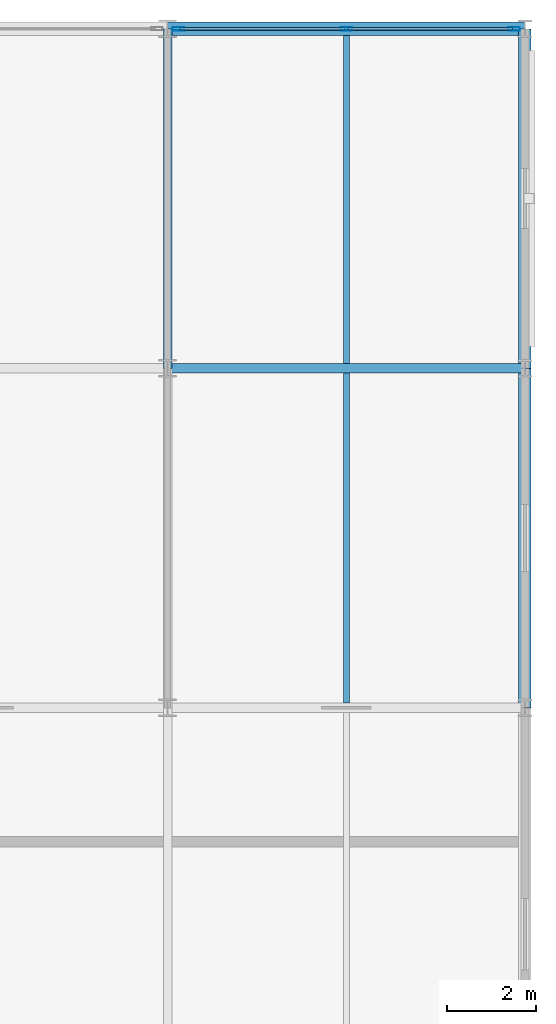
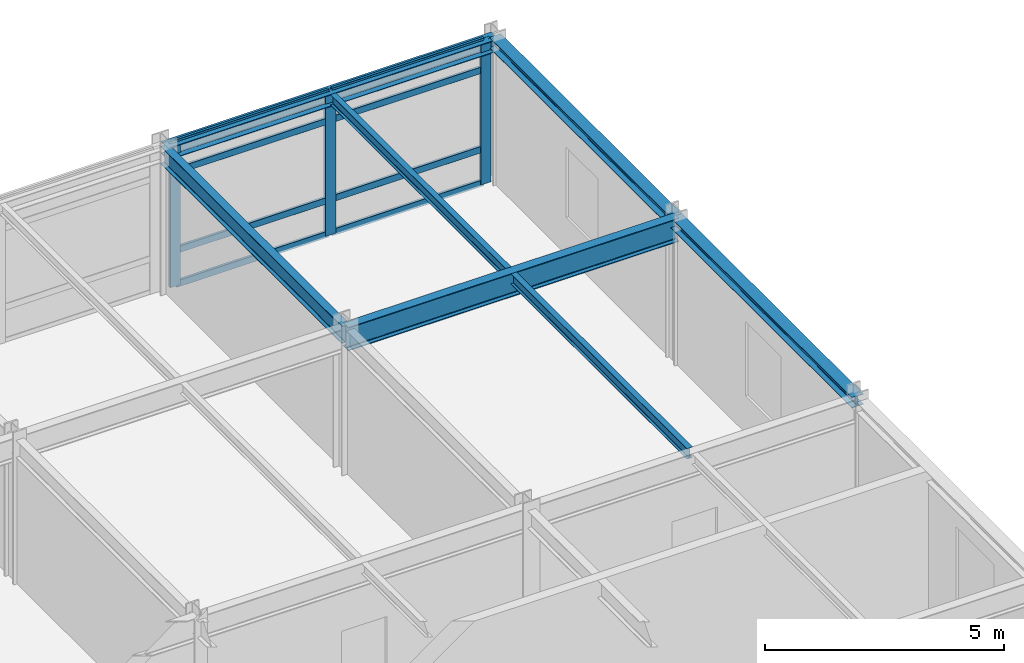
# One storey, part 9 of 14: 11 members, 7 beams, 1 element without a shape of its own.
"""IFC4 building model written with IfcOpenShell, lengths in metres."""

import ifcopenshell
import ifcopenshell.guid

model = None  # the IFC model being written
_history = None  # IfcOwnerHistory: only IFC2X3 demands one
_inside = {}  # id of a spatial element -> (the spatial element, [elements in it])
_under = {}  # id of a project, library or spatial element -> (it, [spatial elements below it])
_declared = {}  # id of a project -> (the project, [libraries it declares])
_typed = {}  # id of a type object -> (the type object, [elements of that type])
_made_of = {}  # id of a material, layer set ... -> (it, [elements and type objects made of it])


def new_model(schema):
    """Start an empty IFC model of exactly this schema.

    Asked for "IFC4X3", IfcOpenShell would pick the latest addendum, in which some entities
    have other attributes; the version numbers below select the first issue.
    IFC2X3 requires an IfcOwnerHistory on every rooted entity: one is made here for all.
    """
    global model, _history
    if schema == "IFC4X3":
        model = ifcopenshell.file(schema_version=(4, 3, 0, 0))
    else:
        model = ifcopenshell.file(schema=schema)
    _inside.clear()
    _under.clear()
    _declared.clear()
    _typed.clear()
    _made_of.clear()
    _history = None
    if model.schema == "IFC2X3":
        org = make("IfcOrganization", Name="unknown")
        user = make(
            "IfcPersonAndOrganization",
            ThePerson=make("IfcPerson", FamilyName="unknown"),
            TheOrganization=org,
        )
        app = make(
            "IfcApplication",
            ApplicationDeveloper=org,
            Version="unknown",
            ApplicationFullName="unknown",
            ApplicationIdentifier="unknown",
        )
        _history = make(
            "IfcOwnerHistory",
            OwningUser=user,
            OwningApplication=app,
            ChangeAction="ADDED",
            CreationDate=0,
        )
    return model


def make(cls, **values):
    """One entity of the class cls with the attributes given. An attribute that is None is left unset."""
    return model.create_entity(
        cls, **{name: value for name, value in values.items() if value is not None}
    )


def rooted(cls, **values):
    """An entity with a GlobalId (a new one), such as an element, a storey or a relation."""
    return make(cls, GlobalId=ifcopenshell.guid.new(), OwnerHistory=_history, **values)


def si_unit(unit_type, name, prefix=None):
    """IfcSIUnit, for example si_unit("LENGTHUNIT", "METRE", prefix="MILLI")."""
    return make("IfcSIUnit", UnitType=unit_type, Prefix=prefix, Name=name)


def assignment(units):
    """IfcUnitAssignment: the units of a project."""
    return None if units is None else make("IfcUnitAssignment", Units=units)


def point(xyz):
    """IfcCartesianPoint."""
    return None if xyz is None else make("IfcCartesianPoint", Coordinates=xyz)


def direction(xyz):
    """IfcDirection."""
    return None if xyz is None else make("IfcDirection", DirectionRatios=xyz)


def frame(location, z_axis=None, x_axis=None):
    """IfcAxis2Placement3D, a coordinate frame: its origin and axes. An axis left out is left unset."""
    return make(
        "IfcAxis2Placement3D",
        Location=point(location),
        Axis=direction(z_axis),
        RefDirection=direction(x_axis),
    )


def frame_2d(location, x_axis=None):
    """IfcAxis2Placement2D, a coordinate frame in the plane: its origin and x axis."""
    return make(
        "IfcAxis2Placement2D", Location=point(location), RefDirection=direction(x_axis)
    )


def origin():
    """The frame at (0, 0, 0) with its axes left unset."""
    return frame((0.0, 0.0, 0.0))


def origin_2d():
    """The frame at (0, 0) in the plane with its x axis left unset."""
    return frame_2d((0.0, 0.0))


def place(relative_to, where):
    """IfcLocalPlacement: puts the frame where relative to a parent placement (None: the world)."""
    return make(
        "IfcLocalPlacement", PlacementRelTo=relative_to, RelativePlacement=where
    )


def context(
    kind, dimensions, precision=None, world=None, true_north=None, identifier=None
):
    """IfcGeometricRepresentationContext, for example the 3D "Model" context."""
    return make(
        "IfcGeometricRepresentationContext",
        ContextIdentifier=identifier,
        ContextType=kind,
        CoordinateSpaceDimension=dimensions,
        Precision=precision,
        WorldCoordinateSystem=world,
        TrueNorth=true_north,
    )


def subcontext(parent, identifier, kind, view, scale=None):
    """IfcGeometricRepresentationSubContext, for example "Body" below "Model"."""
    return make(
        "IfcGeometricRepresentationSubContext",
        ContextIdentifier=identifier,
        ContextType=kind,
        ParentContext=parent,
        TargetScale=scale,
        TargetView=view,
    )


def project(units=None, contexts=None):
    """IfcProject with its units and contexts."""
    return rooted(
        "IfcProject",
        Name="project",
        RepresentationContexts=contexts,
        UnitsInContext=assignment(units),
    )


def spatial(cls, under=None, at=None, **own):
    """A site, building, storey or space (cls), placed at a placement, below another one or the project."""
    s = rooted(cls, ObjectPlacement=at, **own)
    if under is not None:
        _under.setdefault(under.id(), (under, []))[1].append(s)
    return s


def profile(cls, at=None, kind="AREA", **sizes):
    """A parametric profile (cls). Its sizes go by their IFC names, for example OverallWidth=200.0."""
    return make(cls, ProfileType=kind, Position=at, **sizes)


def hollow_rectangle(**sizes):
    """IfcRectangleHollowProfileDef."""
    return profile("IfcRectangleHollowProfileDef", **sizes)


def i_section(**sizes):
    """IfcIShapeProfileDef."""
    return profile("IfcIShapeProfileDef", **sizes)


def extrude(swept, where, along, depth):
    """IfcExtrudedAreaSolid: the profile swept, set in the frame where, extruded along a direction by depth."""
    return make(
        "IfcExtrudedAreaSolid",
        SweptArea=swept,
        Position=where,
        ExtrudedDirection=direction(along),
        Depth=depth,
    )


def shape(context_of_items, identifier, shape_type, items):
    """IfcShapeRepresentation: the items that make up one representation, for example the "Body"."""
    return make(
        "IfcShapeRepresentation",
        ContextOfItems=context_of_items,
        RepresentationIdentifier=identifier,
        RepresentationType=shape_type,
        Items=items,
    )


def material(Name=None, Category=None):
    """IfcMaterial."""
    return make("IfcMaterial", Name=Name, Category=Category)


def layer(
    of_material, thickness, ventilated=None, Name=None, Category=None, Priority=None
):
    """IfcMaterialLayer: one layer of a wall or slab, of a material (None: an air gap)."""
    return make(
        "IfcMaterialLayer",
        Material=of_material,
        LayerThickness=thickness,
        IsVentilated=ventilated,
        Name=Name,
        Category=Category,
        Priority=Priority,
    )


def layer_set(layers, Name=None):
    """IfcMaterialLayerSet."""
    return make("IfcMaterialLayerSet", MaterialLayers=layers, LayerSetName=Name)


def material_profile(
    of_material, cross_section, Name=None, Category=None, Priority=None
):
    """IfcMaterialProfile: a cross section and its material."""
    return make(
        "IfcMaterialProfile",
        Name=Name,
        Material=of_material,
        Profile=cross_section,
        Priority=Priority,
        Category=Category,
    )


def profile_set(profiles, Name=None, composite=None):
    """IfcMaterialProfileSet."""
    return make(
        "IfcMaterialProfileSet",
        Name=Name,
        MaterialProfiles=profiles,
        CompositeProfile=composite,
    )


def made_of(thing, what):
    """Note that an element or type object is made of a material, layer set ...; save() writes the relation."""
    if what is not None:
        _made_of.setdefault(what.id(), (what, []))[1].append(thing)
    return thing


def type_object(cls, material=None, **own):
    """A type object (cls), such as IfcWallType, which elements share."""
    return made_of(rooted(cls, **own), material)


def element(
    cls,
    number,
    at=None,
    inside=None,
    cuts=None,
    type_object=None,
    material=None,
    context=None,
    identifier="Body",
    shape_type=None,
    held_by="IfcProductDefinitionShape",
    body=None,
    shapes=None,
    **own,
):
    """One element of the class cls, such as IfcWall. Its Tag is "e" and its number.

    at: its placement. inside: the storey or other place that contains it. cuts: it is an
    opening in that element (IfcRelVoidsElement). A single representation is given by context,
    identifier, shape_type and body (its items); several are given by shapes. held_by: the class
    of the entity that holds the representations. save() writes the other relations.
    """
    e = rooted(cls, Tag="e%d" % number, ObjectPlacement=at, **own)
    if body is not None:
        shapes = [shape(context, identifier, shape_type, body)]
    if shapes is not None:
        e.Representation = make(held_by, Representations=shapes)
    if inside is not None:
        _inside.setdefault(inside.id(), (inside, []))[1].append(e)
    if cuts is not None:
        rooted(
            "IfcRelVoidsElement", RelatingBuildingElement=cuts, RelatedOpeningElement=e
        )
    if type_object is not None:
        _typed.setdefault(type_object.id(), (type_object, []))[1].append(e)
    return made_of(e, material)


def aggregate(whole, parts):
    """IfcRelAggregates: a whole, such as a stair, and the parts it consists of."""
    return rooted("IfcRelAggregates", RelatingObject=whole, RelatedObjects=parts)


def save(model, path):
    """Write the relations noted so far, then the file.

    IfcRelAggregates (storeys below a building ...), IfcRelContainedInSpatialStructure (elements
    in a storey), IfcRelDefinesByType, IfcRelAssociatesMaterial and IfcRelDeclares: one each for
    every whole, place, type object, material and project.
    """
    for whole, parts in _under.values():
        aggregate(whole, parts)
    for where, things in _inside.values():
        rooted(
            "IfcRelContainedInSpatialStructure",
            RelatedElements=things,
            RelatingStructure=where,
        )
    for kind, things in _typed.values():
        rooted("IfcRelDefinesByType", RelatedObjects=things, RelatingType=kind)
    for what, things in _made_of.values():
        rooted("IfcRelAssociatesMaterial", RelatedObjects=things, RelatingMaterial=what)
    for by, libraries in _declared.values():
        rooted("IfcRelDeclares", RelatingContext=by, RelatedDefinitions=libraries)
    model.write(path)


model = new_model("IFC4")

# Units and contexts
model_context = context("Model", 3, precision=1e-05, world=origin(), true_north=direction((0.0, 1.0)))
body_context = subcontext(model_context, "Body", "Model", "MODEL_VIEW")
ifc_project = project(units=[si_unit("LENGTHUNIT", "METRE"), si_unit("AREAUNIT", "SQUARE_METRE"), si_unit("VOLUMEUNIT", "CUBIC_METRE"), si_unit("PLANEANGLEUNIT", "RADIAN"), si_unit("MASSUNIT", "GRAM", prefix="KILO")], contexts=[model_context])

# Site, building, storey
site_placement = place(None, origin())
site = spatial("IfcSite", under=ifc_project, at=site_placement, CompositionType="ELEMENT")
building_placement = place(site_placement, origin())
building = spatial("IfcBuilding", under=site, at=building_placement, Name="Shalkamar Park Central Library", CompositionType="ELEMENT")
storey_placement = place(building_placement, frame((0.0, 0.0, 32.10009765625)))
storey = spatial("IfcBuildingStorey", under=building, at=storey_placement, Name="L08", CompositionType="ELEMENT", Elevation=32.10009765625)

# Beams
ifc_material_1 = material(Name="Steel S355", Category="steel")
ifc_material_profile_1 = material_profile(ifc_material_1, i_section(OverallWidth=0.135009765625, OverallDepth=0.27001953125, WebThickness=0.006591796875, FlangeThickness=0.01025390625, FilletRadius=0.014892578125, at=origin_2d()), Name="IPE 270")
ifc_profile_set_1 = profile_set([ifc_material_profile_1], Name="Steel S355")
beam_type_1 = type_object("IfcBeamType", Name="Composite Floor Joist IPE270", PredefinedType="JOIST", material=ifc_profile_set_1)
beam_1_placement = place(storey_placement, frame((217.0, 278.10791015625, 3.544921875), z_axis=(0.0, 1.0, 0.0), x_axis=(-1.0, 0.0, 0.0)))
element("IfcBeam", 1, at=beam_1_placement, inside=storey, type_object=beam_type_1, Name="Composite Joist 13/F-1 (L08)", PredefinedType="JOIST", context=body_context, shape_type="SweptSolid", body=[
    extrude(i_section(OverallWidth=0.135009765625, OverallDepth=0.27001953125, WebThickness=0.006591796875, FlangeThickness=0.01025390625, FilletRadius=0.014892578125, at=origin_2d()), origin(), (0.0, 0.0, 1.0), 7.384033203125),
])
beam_2_placement = place(storey_placement, frame((217.0, 285.7080078125, 3.544921875), z_axis=(0.0, 1.0, 0.0), x_axis=(-1.0, 0.0, 0.0)))
element("IfcBeam", 2, at=beam_2_placement, inside=storey, type_object=beam_type_1, Name="Composite Joist 13/G-1 (L08)", PredefinedType="JOIST", context=body_context, shape_type="SweptSolid", body=[
    extrude(i_section(OverallWidth=0.135009765625, OverallDepth=0.27001953125, WebThickness=0.006591796875, FlangeThickness=0.01025390625, FilletRadius=0.014892578125, at=origin_2d()), origin(), (0.0, 0.0, 1.0), 7.343994140625),
])

# Curtain wall, members
ifc_material_2 = material(Name="Thermally broken aluminium and triple low-e curtain wall", Category="aluminium")
ifc_layer = layer(ifc_material_2, 0.2548828125)
ifc_layer_set = layer_set([ifc_layer], Name="UnitisedCurtainWall_75")
curtain_wall_type = type_object("IfcCurtainWallType", Name="Unitised Curtain Wall 75", PredefinedType="USERDEFINED", material=ifc_layer_set)
curtain_wall_placement = place(storey_placement, origin())
curtain_wall = element("IfcCurtainWall", 3, at=curtain_wall_placement, inside=storey, type_object=curtain_wall_type, Name="Unitised Curtain Wall CW-L08-111", ObjectType="UNITISED CURTAIN WALL", PredefinedType="USERDEFINED")
ifc_material_3 = material(Name="Aluminium 6060-T66", Category="aluminium")
ifc_material_profile_2 = material_profile(ifc_material_3, hollow_rectangle(XDim=0.080078125, YDim=0.2548828125, WallThickness=0.00439453125, InnerFilletRadius=0.00439453125, OuterFilletRadius=0.0068359375, at=origin_2d()), Name="ALU 80x255x4.5")
ifc_profile_set_2 = profile_set([ifc_material_profile_2], Name="Aluminium 6060-T66")
member_type_1 = type_object("IfcMemberType", Name="Curtain Wall Mullion ALU80x255", PredefinedType="MULLION", material=ifc_profile_set_2)
member_1_placement = place(storey_placement, frame((213.242919921875, 293.199951171875, 0.0), z_axis=(0.0, 0.0, 1.0), x_axis=(0.0, 1.0, 0.0)))
member_1 = element("IfcMember", 4, at=member_1_placement, type_object=member_type_1, Name="CW-75 mullion 1", PredefinedType="MULLION", context=body_context, shape_type="SweptSolid", body=[
    extrude(hollow_rectangle(XDim=0.080078125, YDim=0.2548828125, WallThickness=0.00439453125, InnerFilletRadius=0.00439453125, OuterFilletRadius=0.0068359375, at=origin_2d()), origin(), (0.0, 0.0, 1.0), 3.679931640625),
])
member_2_placement = place(storey_placement, frame((217.000732421875, 293.199951171875, 0.0), z_axis=(0.0, 0.0, 1.0), x_axis=(0.0, 1.0, 0.0)))
member_2 = element("IfcMember", 5, at=member_2_placement, type_object=member_type_1, Name="CW-75 mullion 2", PredefinedType="MULLION", context=body_context, shape_type="SweptSolid", body=[
    extrude(hollow_rectangle(XDim=0.080078125, YDim=0.2548828125, WallThickness=0.00439453125, InnerFilletRadius=0.00439453125, OuterFilletRadius=0.0068359375, at=origin_2d()), origin(), (0.0, 0.0, 1.0), 3.679931640625),
])
member_3_placement = place(storey_placement, frame((220.758544921875, 293.199951171875, 0.0), z_axis=(0.0, 0.0, 1.0), x_axis=(0.0, 1.0, 0.0)))
member_3 = element("IfcMember", 6, at=member_3_placement, type_object=member_type_1, Name="CW-75 mullion 3", PredefinedType="MULLION", context=body_context, shape_type="SweptSolid", body=[
    extrude(hollow_rectangle(XDim=0.080078125, YDim=0.2548828125, WallThickness=0.00439453125, InnerFilletRadius=0.00439453125, OuterFilletRadius=0.0068359375, at=origin_2d()), origin(), (0.0, 0.0, 1.0), 3.679931640625),
])
ifc_material_profile_3 = material_profile(ifc_material_3, hollow_rectangle(XDim=0.06494140625, YDim=0.169921875, WallThickness=0.00390625, InnerFilletRadius=0.00390625, OuterFilletRadius=0.006103515625, at=origin_2d()), Name="ALU 65x170x4")
ifc_profile_set_3 = profile_set([ifc_material_profile_3], Name="Aluminium 6060-T66")
member_type_2 = type_object("IfcMemberType", Name="Curtain Wall Transom ALU65x170", PredefinedType="USERDEFINED", material=ifc_profile_set_3)
member_4_placement = place(storey_placement, frame((213.282958984375, 293.199951171875, 0.032470703125), z_axis=(1.0, 0.0, 0.0), x_axis=(0.0, 1.0, 0.0)))
member_4 = element("IfcMember", 7, at=member_4_placement, type_object=member_type_2, Name="CW-75 transom 1.1", ObjectType="TRANSOM", PredefinedType="USERDEFINED", context=body_context, shape_type="SweptSolid", body=[
    extrude(hollow_rectangle(XDim=0.06494140625, YDim=0.169921875, WallThickness=0.00390625, InnerFilletRadius=0.00390625, OuterFilletRadius=0.006103515625, at=origin_2d()), origin(), (0.0, 0.0, 1.0), 3.677734375),
])
member_5_placement = place(storey_placement, frame((213.282958984375, 293.199951171875, 0.89990234375), z_axis=(1.0, 0.0, 0.0), x_axis=(0.0, 1.0, 0.0)))
member_5 = element("IfcMember", 8, at=member_5_placement, type_object=member_type_2, Name="CW-75 transom 1.2", ObjectType="TRANSOM", PredefinedType="USERDEFINED", context=body_context, shape_type="SweptSolid", body=[
    extrude(hollow_rectangle(XDim=0.06494140625, YDim=0.169921875, WallThickness=0.00390625, InnerFilletRadius=0.00390625, OuterFilletRadius=0.006103515625, at=origin_2d()), origin(), (0.0, 0.0, 1.0), 3.677734375),
])
member_6_placement = place(storey_placement, frame((213.282958984375, 293.199951171875, 2.929931640625), z_axis=(1.0, 0.0, 0.0), x_axis=(0.0, 1.0, 0.0)))
member_6 = element("IfcMember", 9, at=member_6_placement, type_object=member_type_2, Name="CW-75 transom 1.3", ObjectType="TRANSOM", PredefinedType="USERDEFINED", context=body_context, shape_type="SweptSolid", body=[
    extrude(hollow_rectangle(XDim=0.06494140625, YDim=0.169921875, WallThickness=0.00390625, InnerFilletRadius=0.00390625, OuterFilletRadius=0.006103515625, at=origin_2d()), origin(), (0.0, 0.0, 1.0), 3.677734375),
])
member_7_placement = place(storey_placement, frame((213.282958984375, 293.199951171875, 3.6474609375), z_axis=(1.0, 0.0, 0.0), x_axis=(0.0, 1.0, 0.0)))
member_7 = element("IfcMember", 10, at=member_7_placement, type_object=member_type_2, Name="CW-75 transom 1.4", ObjectType="TRANSOM", PredefinedType="USERDEFINED", context=body_context, shape_type="SweptSolid", body=[
    extrude(hollow_rectangle(XDim=0.06494140625, YDim=0.169921875, WallThickness=0.00390625, InnerFilletRadius=0.00390625, OuterFilletRadius=0.006103515625, at=origin_2d()), origin(), (0.0, 0.0, 1.0), 3.677734375),
])
member_8_placement = place(storey_placement, frame((217.040771484375, 293.199951171875, 0.032470703125), z_axis=(1.0, 0.0, 0.0), x_axis=(0.0, 1.0, 0.0)))
member_8 = element("IfcMember", 11, at=member_8_placement, type_object=member_type_2, Name="CW-75 transom 2.1", ObjectType="TRANSOM", PredefinedType="USERDEFINED", context=body_context, shape_type="SweptSolid", body=[
    extrude(hollow_rectangle(XDim=0.06494140625, YDim=0.169921875, WallThickness=0.00390625, InnerFilletRadius=0.00390625, OuterFilletRadius=0.006103515625, at=origin_2d()), origin(), (0.0, 0.0, 1.0), 3.677734375),
])
member_9_placement = place(storey_placement, frame((217.040771484375, 293.199951171875, 0.89990234375), z_axis=(1.0, 0.0, 0.0), x_axis=(0.0, 1.0, 0.0)))
member_9 = element("IfcMember", 12, at=member_9_placement, type_object=member_type_2, Name="CW-75 transom 2.2", ObjectType="TRANSOM", PredefinedType="USERDEFINED", context=body_context, shape_type="SweptSolid", body=[
    extrude(hollow_rectangle(XDim=0.06494140625, YDim=0.169921875, WallThickness=0.00390625, InnerFilletRadius=0.00390625, OuterFilletRadius=0.006103515625, at=origin_2d()), origin(), (0.0, 0.0, 1.0), 3.677734375),
])
member_10_placement = place(storey_placement, frame((217.040771484375, 293.199951171875, 2.929931640625), z_axis=(1.0, 0.0, 0.0), x_axis=(0.0, 1.0, 0.0)))
member_10 = element("IfcMember", 13, at=member_10_placement, type_object=member_type_2, Name="CW-75 transom 2.3", ObjectType="TRANSOM", PredefinedType="USERDEFINED", context=body_context, shape_type="SweptSolid", body=[
    extrude(hollow_rectangle(XDim=0.06494140625, YDim=0.169921875, WallThickness=0.00390625, InnerFilletRadius=0.00390625, OuterFilletRadius=0.006103515625, at=origin_2d()), origin(), (0.0, 0.0, 1.0), 3.677734375),
])
member_11_placement = place(storey_placement, frame((217.040771484375, 293.199951171875, 3.6474609375), z_axis=(1.0, 0.0, 0.0), x_axis=(0.0, 1.0, 0.0)))
member_11 = element("IfcMember", 14, at=member_11_placement, type_object=member_type_2, Name="CW-75 transom 2.4", ObjectType="TRANSOM", PredefinedType="USERDEFINED", context=body_context, shape_type="SweptSolid", body=[
    extrude(hollow_rectangle(XDim=0.06494140625, YDim=0.169921875, WallThickness=0.00390625, InnerFilletRadius=0.00390625, OuterFilletRadius=0.006103515625, at=origin_2d()), origin(), (0.0, 0.0, 1.0), 3.677734375),
])
aggregate(curtain_wall, [member_1, member_2, member_3, member_4, member_5, member_6, member_7, member_8, member_9, member_10, member_11])

# Beams
ifc_material_profile_4 = material_profile(ifc_material_1, i_section(OverallWidth=0.280029296875, OverallDepth=0.27001953125, WebThickness=0.008056640625, FlangeThickness=0.012939453125, FilletRadius=0.02392578125, at=origin_2d()), Name="HEA 280")
ifc_profile_set_4 = profile_set([ifc_material_profile_4], Name="Steel S355")
beam_type_2 = type_object("IfcBeamType", Name="Perimeter Spandrel Beam HEA280", PredefinedType="SPANDREL", material=ifc_profile_set_4)
beam_3_placement = place(storey_placement, frame((221.0, 278.0, 3.544921875), z_axis=(0.0, 1.0, 0.0), x_axis=(-1.0, 0.0, 0.0)))
element("IfcBeam", 15, at=beam_3_placement, inside=storey, type_object=beam_type_2, Name="Beam 14:F-G (L08)", PredefinedType="SPANDREL", context=body_context, shape_type="SweptSolid", body=[
    extrude(i_section(OverallWidth=0.280029296875, OverallDepth=0.27001953125, WebThickness=0.008056640625, FlangeThickness=0.012939453125, FilletRadius=0.02392578125, at=origin_2d()), origin(), (0.0, 0.0, 1.0), 7.60009765625),
])
beam_4_placement = place(storey_placement, frame((221.0, 285.60009765625, 3.544921875), z_axis=(0.0, 1.0, 0.0), x_axis=(-1.0, 0.0, 0.0)))
element("IfcBeam", 16, at=beam_4_placement, inside=storey, type_object=beam_type_2, Name="Beam 14:G-H (L08)", PredefinedType="SPANDREL", context=body_context, shape_type="SweptSolid", body=[
    extrude(i_section(OverallWidth=0.280029296875, OverallDepth=0.27001953125, WebThickness=0.008056640625, FlangeThickness=0.012939453125, FilletRadius=0.02392578125, at=origin_2d()), origin(), (0.0, 0.0, 1.0), 7.599853515625),
])
ifc_material_profile_5 = material_profile(ifc_material_1, i_section(OverallWidth=0.300048828125, OverallDepth=0.31005859375, WebThickness=0.009033203125, FlangeThickness=0.015380859375, FilletRadius=0.027099609375, at=origin_2d()), Name="HEA 320")
ifc_profile_set_5 = profile_set([ifc_material_profile_5], Name="Steel S355")
beam_type_3 = type_object("IfcBeamType", Name="Perimeter Spandrel Beam HEA320", PredefinedType="SPANDREL", material=ifc_profile_set_5)
beam_5_placement = place(storey_placement, frame((213.0, 293.199951171875, 3.52490234375), z_axis=(1.0, 0.0, 0.0), x_axis=(0.0, 1.0, 0.0)))
element("IfcBeam", 17, at=beam_5_placement, inside=storey, type_object=beam_type_3, Name="Beam H:13-14 (L08)", PredefinedType="SPANDREL", context=body_context, shape_type="SweptSolid", body=[
    extrude(i_section(OverallWidth=0.300048828125, OverallDepth=0.31005859375, WebThickness=0.009033203125, FlangeThickness=0.015380859375, FilletRadius=0.027099609375, at=origin_2d()), origin(), (0.0, 0.0, 1.0), 8.0),
])
ifc_material_profile_6 = material_profile(ifc_material_1, i_section(OverallWidth=0.18994140625, OverallDepth=0.449951171875, WebThickness=0.009521484375, FlangeThickness=0.0146484375, FilletRadius=0.02099609375, at=origin_2d()), Name="IPE 450")
ifc_profile_set_6 = profile_set([ifc_material_profile_6], Name="Steel S355")
beam_type_4 = type_object("IfcBeamType", Name="Primary Girder IPE450", PredefinedType="BEAM", material=ifc_profile_set_6)
beam_6_placement = place(storey_placement, frame((213.0, 285.60009765625, 3.454833984375), z_axis=(0.0, 1.0, 0.0), x_axis=(-1.0, 0.0, 0.0)))
element("IfcBeam", 18, at=beam_6_placement, inside=storey, type_object=beam_type_4, Name="Beam 13:G-H (L08)", PredefinedType="BEAM", context=body_context, shape_type="SweptSolid", body=[
    extrude(i_section(OverallWidth=0.18994140625, OverallDepth=0.449951171875, WebThickness=0.009521484375, FlangeThickness=0.0146484375, FilletRadius=0.02099609375, at=origin_2d()), origin(), (0.0, 0.0, 1.0), 7.599853515625),
])
ifc_material_profile_7 = material_profile(ifc_material_1, i_section(OverallWidth=0.219970703125, OverallDepth=0.60009765625, WebThickness=0.011962890625, FlangeThickness=0.01904296875, FilletRadius=0.02392578125, at=origin_2d()), Name="IPE 600")
ifc_profile_set_7 = profile_set([ifc_material_profile_7], Name="Steel S355")
beam_type_5 = type_object("IfcBeamType", Name="Primary Girder IPE600", PredefinedType="BEAM", material=ifc_profile_set_7)
beam_7_placement = place(storey_placement, frame((213.0, 285.60009765625, 3.3798828125), z_axis=(1.0, 0.0, 0.0), x_axis=(0.0, 1.0, 0.0)))
element("IfcBeam", 19, at=beam_7_placement, inside=storey, type_object=beam_type_5, Name="Beam G:13-14 (L08)", PredefinedType="BEAM", context=body_context, shape_type="SweptSolid", body=[
    extrude(i_section(OverallWidth=0.219970703125, OverallDepth=0.60009765625, WebThickness=0.011962890625, FlangeThickness=0.01904296875, FilletRadius=0.02392578125, at=origin_2d()), origin(), (0.0, 0.0, 1.0), 8.0),
])

save(model, "model.ifc")
